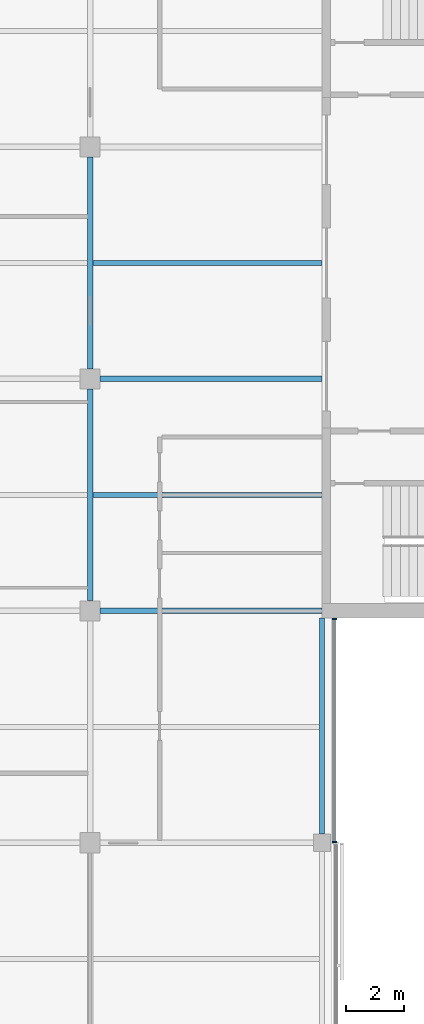
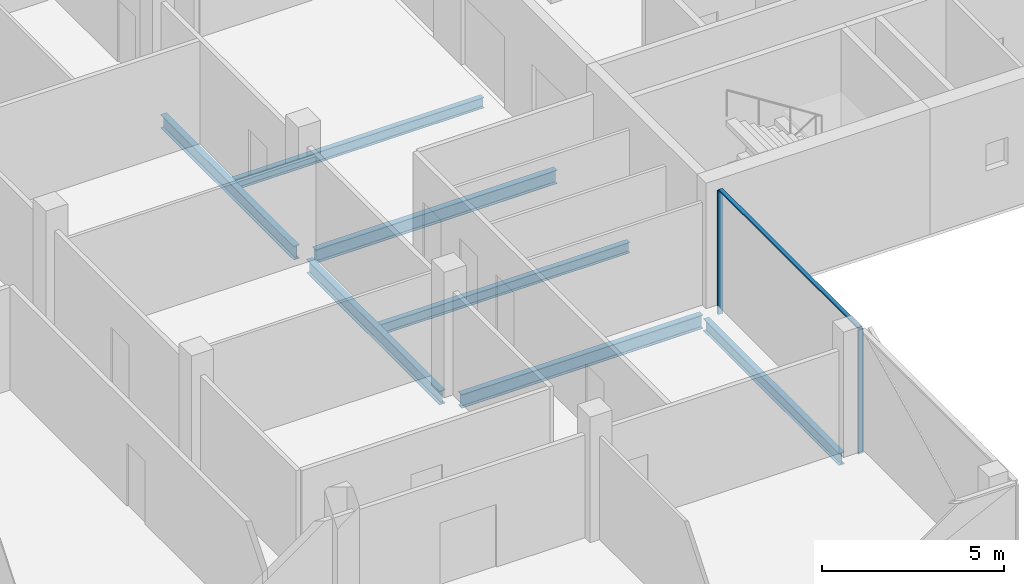
# One storey, part 4 of 15: 7 beams, 3 members, 1 element without a shape of its own.
"""IFC4 building model written with IfcOpenShell, lengths in metres."""

from ifc_helpers import new_model, si_unit, direction, frame, origin, origin_2d, place, context, subcontext, project, spatial, rectangle, i_section, extrude, material, material_profile, profile_set, type_object, element, aggregate, save


model = new_model("IFC4")

# Units and contexts
model_context = context("Model", 3, precision=1e-05, world=origin(), true_north=direction((0.0, 1.0)))
body_context = subcontext(model_context, "Body", "Model", "MODEL_VIEW")
ifc_project = project(units=[si_unit("LENGTHUNIT", "METRE"), si_unit("AREAUNIT", "SQUARE_METRE"), si_unit("VOLUMEUNIT", "CUBIC_METRE"), si_unit("PLANEANGLEUNIT", "RADIAN"), si_unit("MASSUNIT", "GRAM", prefix="KILO")], contexts=[model_context])

# Site, building, storey
site_placement = place(None, origin())
site = spatial("IfcSite", under=ifc_project, at=site_placement, CompositionType="ELEMENT")
building_placement = place(site_placement, origin())
building = spatial("IfcBuilding", under=site, at=building_placement, Name="Crosswind Convention Tower", CompositionType="ELEMENT")
storey_placement = place(building_placement, frame((0.0, 0.0, 257.699951171875)))
storey = spatial("IfcBuildingStorey", under=building, at=storey_placement, Name="L55", CompositionType="ELEMENT", Elevation=257.699951171875)

# Beams
ifc_material_1 = material(Name="Steel S355", Category="steel")
ifc_material_profile_1 = material_profile(ifc_material_1, i_section(OverallWidth=0.177734375, OverallDepth=0.406494140625, WebThickness=0.0078125, FlangeThickness=0.0126953125, FilletRadius=0.01025390625, at=origin_2d()), Name="UB 406x178x60")
ifc_profile_set_1 = profile_set([ifc_material_profile_1], Name="Steel S355")
beam_type_1 = type_object("IfcBeamType", Name="Edge beam UB 406x178x60", PredefinedType="SPANDREL", material=ifc_profile_set_1)
beam_placement = place(storey_placement, frame((137.0, 80.300048828125, -0.503173828125), z_axis=(0.0, 1.0, 0.0), x_axis=(-1.0, 0.0, 0.0)))
element("IfcBeam", 1, at=beam_placement, inside=storey, type_object=beam_type_1, Name="B15 L55 edge beam 12", PredefinedType="SPANDREL", context=body_context, shape_type="SweptSolid", body=[
    extrude(i_section(OverallWidth=0.177734375, OverallDepth=0.406494140625, WebThickness=0.0078125, FlangeThickness=0.0126953125, FilletRadius=0.01025390625, at=origin_2d()), origin(), (0.0, 0.0, 1.0), 7.449951171875),
])
ifc_material_profile_2 = material_profile(ifc_material_1, i_section(OverallWidth=0.18994140625, OverallDepth=0.45361328125, WebThickness=0.008544921875, FlangeThickness=0.0126953125, FilletRadius=0.01025390625, at=origin_2d()), Name="UB 457x191x67")
ifc_profile_set_2 = profile_set([ifc_material_profile_2], Name="Steel S355")
beam_type_2 = type_object("IfcBeamType", Name="Girder UB 457x191x67", PredefinedType="BEAM", material=ifc_profile_set_2)
for number, where, z_axis, x_axis, name in (
    (2, (129.0, 88.35009765625, -0.52685546875), (0.0, 1.0, 0.0), (-1.0, 0.0, 0.0), "B1 L55 girder 18"),
    (3, (129.0, 96.35009765625, -0.52685546875), (0.0, 1.0, 0.0), (-1.0, 0.0, 0.0), "B1 L55 girder 19"),
):
    element("IfcBeam", number, at=place(storey_placement, frame(where, z_axis=z_axis, x_axis=x_axis)), inside=storey, type_object=beam_type_2, Name=name, PredefinedType="BEAM", context=body_context, shape_type="SweptSolid", body=[
        extrude(i_section(OverallWidth=0.18994140625, OverallDepth=0.45361328125, WebThickness=0.008544921875, FlangeThickness=0.0126953125, FilletRadius=0.01025390625, at=origin_2d()), origin(), (0.0, 0.0, 1.0), 7.2998046875),
    ])
ifc_material_profile_3 = material_profile(ifc_material_1, i_section(OverallWidth=0.1904296875, OverallDepth=0.457275390625, WebThickness=0.009033203125, FlangeThickness=0.014404296875, FilletRadius=0.01025390625, at=origin_2d()), Name="UB 457x191x75")
ifc_profile_set_3 = profile_set([ifc_material_profile_3], Name="Steel S355")
beam_type_3 = type_object("IfcBeamType", Name="Girder at core wall UB 457x191x75", PredefinedType="BEAM", material=ifc_profile_set_3)
for number, where, z_axis, x_axis, name in (
    (4, (129.35009765625, 88.0, -0.528564453125), (1.0, 0.0, 0.0), (0.0, 1.0, 0.0), "B22 L55 girder at core wall 5"),
    (5, (129.35009765625, 96.0, -0.528564453125), (1.0, 0.0, 0.0), (0.0, 1.0, 0.0), "B22 L55 girder at core wall 6"),
):
    element("IfcBeam", number, at=place(storey_placement, frame(where, z_axis=z_axis, x_axis=x_axis)), inside=storey, type_object=beam_type_3, Name=name, PredefinedType="BEAM", context=body_context, shape_type="SweptSolid", body=[
        extrude(i_section(OverallWidth=0.1904296875, OverallDepth=0.457275390625, WebThickness=0.009033203125, FlangeThickness=0.014404296875, FilletRadius=0.01025390625, at=origin_2d()), origin(), (0.0, 0.0, 1.0), 7.64990234375),
    ])

# Curtain wall, members
ifc_material_2 = material(Name="Aluminium unitised curtain wall", Category="aluminium")
curtain_wall_type = type_object("IfcCurtainWallType", Name="CORE END SLOT WALL 160", PredefinedType="USERDEFINED", material=ifc_material_2)
curtain_wall_placement = place(storey_placement, origin())
curtain_wall = element("IfcCurtainWall", 6, at=curtain_wall_placement, inside=storey, type_object=curtain_wall_type, Name="CW6 L55 S-E.1-2 slot", ObjectType="UNITISED", PredefinedType="USERDEFINED")
ifc_material_3 = material(Name="Aluminium mullion", Category="aluminium")
ifc_material_profile_4 = material_profile(ifc_material_3, rectangle(XDim=0.159912109375, YDim=0.050048828125, at=origin_2d()), Name="AL 160X50")
ifc_profile_set_4 = profile_set([ifc_material_profile_4], Name="Aluminium mullion")
member_type_1 = type_object("IfcMemberType", Name="MULLION 50X160", PredefinedType="MULLION", material=ifc_profile_set_4)
member_1_placement = place(storey_placement, frame((137.429931640625, 80.02490234375, -0.300048828125), z_axis=(0.0, 0.0, 1.0), x_axis=(1.0, 0.0, 0.0)))
member_1 = element("IfcMember", 7, at=member_1_placement, type_object=member_type_1, Name="CW6 mullion 1", PredefinedType="MULLION", context=body_context, shape_type="SweptSolid", body=[
    extrude(rectangle(XDim=0.159912109375, YDim=0.050048828125, at=origin_2d()), origin(), (0.0, 0.0, 1.0), 4.150146484375),
])
member_2_placement = place(storey_placement, frame((137.429931640625, 87.72509765625, -0.300048828125), z_axis=(0.0, 0.0, 1.0), x_axis=(1.0, 0.0, 0.0)))
member_2 = element("IfcMember", 8, at=member_2_placement, type_object=member_type_1, Name="CW6 mullion 2", PredefinedType="MULLION", context=body_context, shape_type="SweptSolid", body=[
    extrude(rectangle(XDim=0.159912109375, YDim=0.050048828125, at=origin_2d()), origin(), (0.0, 0.0, 1.0), 4.150146484375),
])

# Beams
ifc_material_profile_5 = material_profile(ifc_material_1, i_section(OverallWidth=0.17138671875, OverallDepth=0.355712890625, WebThickness=0.00732421875, FlangeThickness=0.011474609375, FilletRadius=0.01025390625, at=origin_2d()), Name="UB 356x171x51")
ifc_profile_set_5 = profile_set([ifc_material_profile_5], Name="Steel S355")
beam_type_4 = type_object("IfcBeamType", Name="Secondary beam UB 356x171x51", PredefinedType="JOIST", material=ifc_profile_set_5)
for number, where, z_axis, x_axis, name in (
    (9, (129.094970703125, 92.0, -0.477783203125), (1.0, 0.0, 0.0), (0.0, 1.0, 0.0), "B8 L55 secondary beam 17"),
    (10, (129.094970703125, 100.0, -0.477783203125), (1.0, 0.0, 0.0), (0.0, 1.0, 0.0), "B8 L55 secondary beam 18"),
):
    element("IfcBeam", number, at=place(storey_placement, frame(where, z_axis=z_axis, x_axis=x_axis)), inside=storey, type_object=beam_type_4, Name=name, PredefinedType="JOIST", context=body_context, shape_type="SweptSolid", body=[
        extrude(i_section(OverallWidth=0.17138671875, OverallDepth=0.355712890625, WebThickness=0.00732421875, FlangeThickness=0.011474609375, FilletRadius=0.01025390625, at=origin_2d()), origin(), (0.0, 0.0, 1.0), 7.905029296875),
    ])

# Member
ifc_material_4 = material(Name="Aluminium transom", Category="aluminium")
ifc_material_profile_6 = material_profile(ifc_material_4, rectangle(XDim=0.1201171875, YDim=0.050048828125, at=origin_2d()), Name="AL 120X50")
ifc_profile_set_6 = profile_set([ifc_material_profile_6], Name="Aluminium transom")
member_type_2 = type_object("IfcMemberType", Name="TRANSOM 50X120", PredefinedType="USERDEFINED", material=ifc_profile_set_6)
member_3_placement = place(storey_placement, frame((137.429931640625, 80.050048828125, 3.875), z_axis=(0.0, 1.0, 0.0), x_axis=(-1.0, 0.0, 0.0)))
member_3 = element("IfcMember", 11, at=member_3_placement, type_object=member_type_2, Name="CW6 transom", ObjectType="TRANSOM", PredefinedType="USERDEFINED", context=body_context, shape_type="SweptSolid", body=[
    extrude(rectangle(XDim=0.1201171875, YDim=0.050048828125, at=origin_2d()), origin(), (0.0, 0.0, 1.0), 7.64990234375),
])

aggregate(curtain_wall, [member_1, member_2, member_3])

save(model, "model.ifc")
